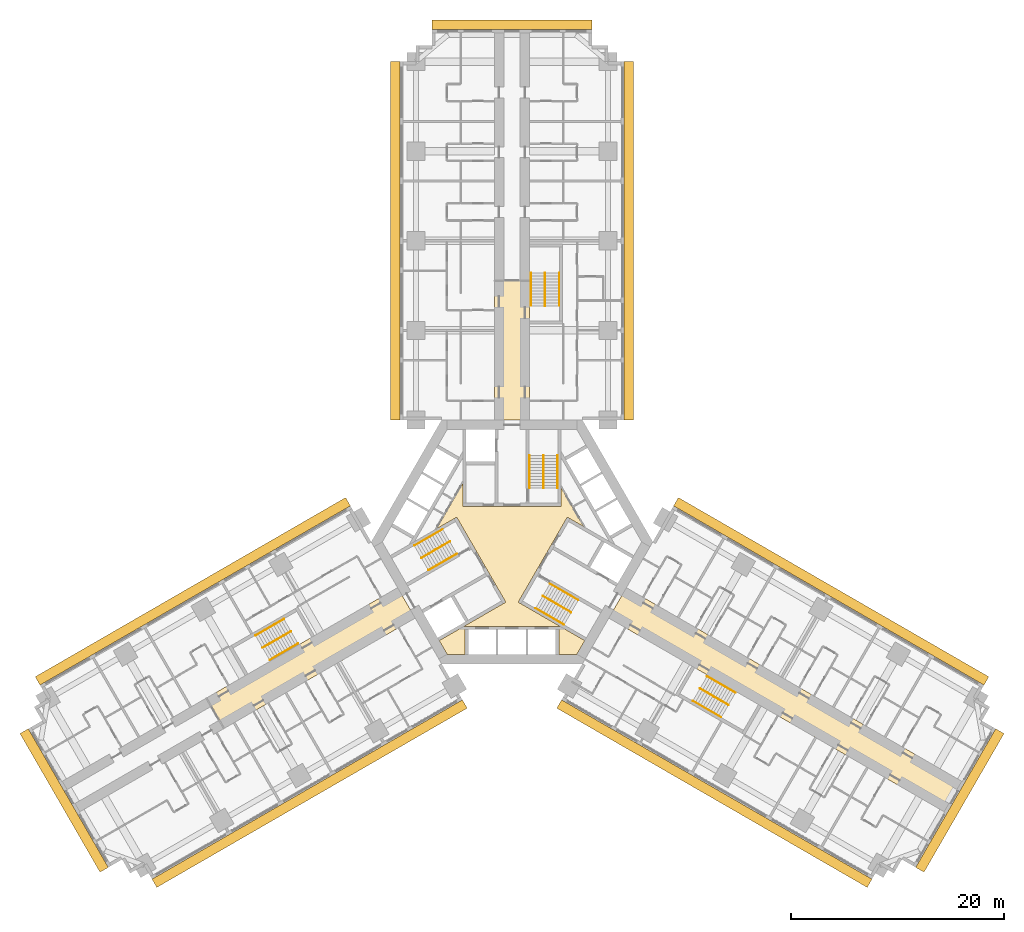
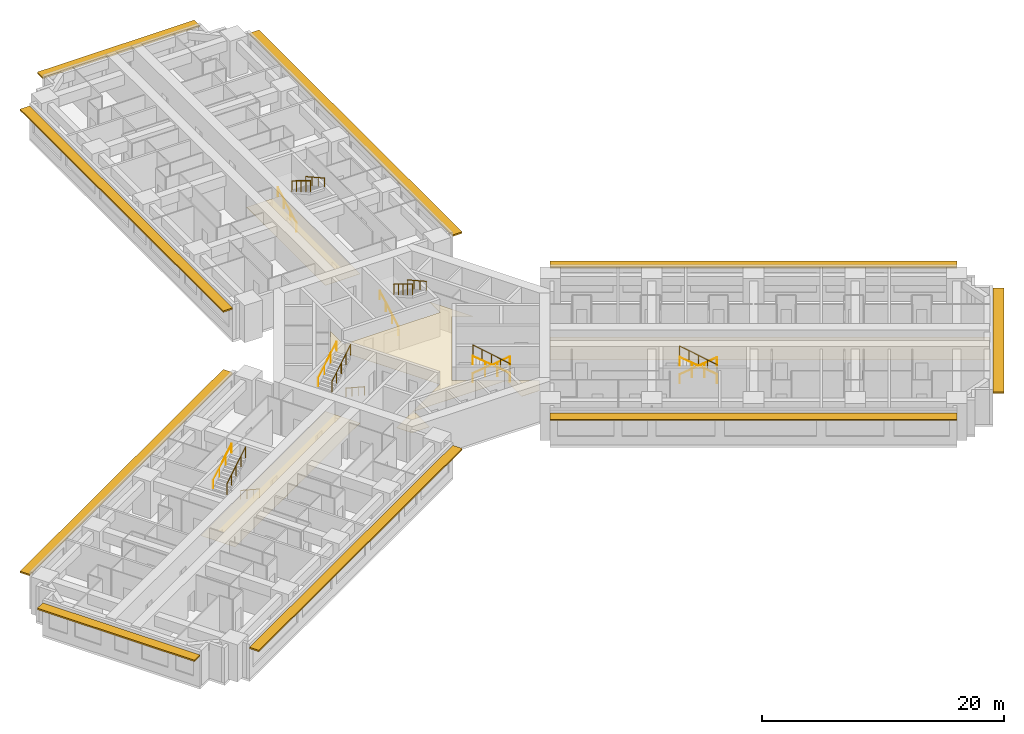
# One storey, part 16 of 16: 18 railings, 4 coverings, 3 shading devices.
"""IFC4 building model written with IfcOpenShell, lengths in metres."""

from ifc_helpers import new_model, si_unit, direction, frame, origin, origin_2d, place, context, subcontext, project, spatial, polyline, rectangle, circle, outline, extrude, material, layer, layer_set, type_object, element, save


model = new_model("IFC4")

# Units and contexts
model_context = context("Model", 3, precision=1e-05, world=origin(), true_north=direction((0.0, 1.0)))
body_context = subcontext(model_context, "Body", "Model", "MODEL_VIEW")
ifc_project = project(units=[si_unit("LENGTHUNIT", "METRE"), si_unit("AREAUNIT", "SQUARE_METRE"), si_unit("VOLUMEUNIT", "CUBIC_METRE"), si_unit("PLANEANGLEUNIT", "RADIAN"), si_unit("MASSUNIT", "GRAM", prefix="KILO")], contexts=[model_context])

# Site, building, storey
site_placement = place(None, origin())
site = spatial("IfcSite", under=ifc_project, at=site_placement, CompositionType="ELEMENT")
building_placement = place(site_placement, origin())
building = spatial("IfcBuilding", under=site, at=building_placement, Name="Impinga Residences", CompositionType="ELEMENT")
storey_placement = place(building_placement, frame((0.0, 0.0, 44.75)))
storey = spatial("IfcBuildingStorey", under=building, at=storey_placement, Name="L10", CompositionType="ELEMENT", Elevation=44.75)

# Coverings
ifc_material_1 = material(Name="Plasterboard 15 mm on steel hangers", Category="steel")
ifc_layer_1 = layer(ifc_material_1, 0.014892578125)
ifc_layer_set_1 = layer_set([ifc_layer_1], Name="Plasterboard 15 mm on steel hangers")
covering_type_1 = type_object("IfcCoveringType", Name="CL1 corridor ceiling, 15 mm plasterboard on hangers", PredefinedType="CEILING", material=ifc_layer_set_1)
covering_1_placement = place(storey_placement, frame((0.0, 0.0, 2.39990234375)))
element("IfcCovering", 1, at=covering_1_placement, inside=storey, type_object=covering_type_1, Name="Corridor ceiling CL1 L10-N00", PredefinedType="CEILING", context=body_context, shape_type="SweptSolid", body=[
    extrude(outline(polyline([(1.64990234375, 11.431640625), (-1.64990234375, 11.431640625), (-1.64990234375, 24.449951171875), (1.64990234375, 24.449951171875), (1.64990234375, 11.431640625)])), origin(), (0.0, 0.0, 1.0), 0.01513671875),
])
covering_2_placement = place(storey_placement, frame((0.0, 0.0, 2.39990234375)))
element("IfcCovering", 2, at=covering_2_placement, inside=storey, type_object=covering_type_1, Name="Corridor ceiling CL1 L10-W00", PredefinedType="CEILING", context=body_context, shape_type="SweptSolid", body=[
    extrude(outline(polyline([(-10.72509765625, -4.286865234375), (-9.074951171875, -7.144775390625), (-26.958740234375, -17.469970703125), (-28.60888671875, -14.612060546875), (-10.72509765625, -4.286865234375)])), origin(), (0.0, 0.0, 1.0), 0.01513671875),
])
covering_3_placement = place(storey_placement, frame((0.0, 0.0, 2.39990234375)))
element("IfcCovering", 3, at=covering_3_placement, inside=storey, type_object=covering_type_1, Name="Corridor ceiling CL1 L10-E00", PredefinedType="CEILING", context=body_context, shape_type="SweptSolid", body=[
    extrude(outline(polyline([(10.72509765625, -4.286865234375), (9.074951171875, -7.144775390625), (40.51171875, -25.294677734375), (42.16162109375, -22.436767578125), (10.72509765625, -4.286865234375)])), origin(), (0.0, 0.0, 1.0), 0.01513671875),
])
ifc_material_2 = material(Name="Mineral fibre tiles 20 mm on exposed grid", Category="mineral fibre")
ifc_layer_2 = layer(ifc_material_2, 0.02001953125)
ifc_layer_set_2 = layer_set([ifc_layer_2], Name="CL2 lift lobby ceiling, 20 mm mineral fibre tiles")
covering_type_2 = type_object("IfcCoveringType", Name="CL2 lift lobby ceiling, 20 mm mineral fibre tiles", PredefinedType="CEILING", material=ifc_layer_set_2)
covering_4_placement = place(storey_placement, frame((0.0, 0.0, 2.39990234375)))
element("IfcCovering", 4, at=covering_4_placement, inside=storey, type_object=covering_type_2, Name="Lift lobby ceiling CL2 L10-C01", PredefinedType="CEILING", context=body_context, shape_type="SweptSolid", body=[
    extrude(outline(polyline([(6.080322265625, -10.531494140625), (4.39990234375, -10.531494140625), (4.39990234375, -7.931640625), (-4.39990234375, -7.931640625), (-4.39990234375, -10.531494140625), (-6.080322265625, -10.531494140625), (-6.820556640625, -9.24951171875), (-0.583984375, -5.648681640625), (-5.183837890625, 2.318603515625), (-7.059326171875, 1.23583984375), (-4.60009765625, 5.49560546875), (-4.60009765625, 3.330078125), (4.60009765625, 3.330078125), (4.60009765625, 5.095703125), (6.712890625, 1.435791015625), (5.183837890625, 2.318603515625), (0.583984375, -5.648681640625), (6.820556640625, -9.24951171875), (6.080322265625, -10.531494140625)])), origin(), (0.0, 0.0, 1.0), 0.02001953125),
])

# Railings
ifc_material_3 = material(Name="Steel guard, powder coated", Category="steel")
railing_type_1 = type_object("IfcRailingType", Name="GR1 stair guard 1100", PredefinedType="GUARDRAIL", material=ifc_material_3)
railing_1_placement = place(storey_placement, frame((2.949951171875, 8.110107421875, 1.875)))
element("IfcRailing", 5, at=railing_1_placement, inside=storey, type_object=railing_type_1, Name="Stair guard GR1 ST1 L10", PredefinedType="GUARDRAIL", context=body_context, shape_type="SweptSolid", body=[
    extrude(circle(Radius=0.02392578125, at=origin_2d()), frame((0.0, 0.0, 1.076171875), z_axis=(0.0, -0.854177636135, 0.519981313056), x_axis=(1.0, 0.0, 0.0)), (0.0, 0.0, 1.0), 3.60595703125),
    extrude(circle(Radius=0.02099609375, at=origin_2d()), origin(), (0.0, 0.0, 1.0), 1.052001953125),
    extrude(circle(Radius=0.02099609375, at=origin_2d()), frame((0.0, -0.77001953125, 0.46875)), (0.0, 0.0, 1.0), 1.052001953125),
    extrude(circle(Radius=0.02099609375, at=origin_2d()), frame((0.0, -1.5400390625, 0.9375)), (0.0, 0.0, 1.0), 1.052001953125),
    extrude(circle(Radius=0.02099609375, at=origin_2d()), frame((0.0, -2.31005859375, 1.40625)), (0.0, 0.0, 1.0), 1.052001953125),
    extrude(circle(Radius=0.02099609375, at=origin_2d()), frame((0.0, -3.080078125, 1.875)), (0.0, 0.0, 1.0), 1.052001953125),
])
railing_2_placement = place(storey_placement, frame((-8.49853515625, -1.500244140625, 1.875)))
element("IfcRailing", 6, at=railing_2_placement, inside=storey, type_object=railing_type_1, Name="Stair guard GR1 ST2 L10", PredefinedType="GUARDRAIL", context=body_context, shape_type="SweptSolid", body=[
    extrude(circle(Radius=0.02392578125, at=origin_2d()), frame((0.0, 0.0, 1.076171875), z_axis=(0.739746383972, 0.427084037168, 0.519975492303), x_axis=(-0.499992328818, 0.866029832698, 0.0)), (0.0, 0.0, 1.0), 3.60595703125),
    extrude(circle(Radius=0.02099609375, at=origin_2d()), origin(), (0.0, 0.0, 1.0), 1.052001953125),
    extrude(circle(Radius=0.02099609375, at=origin_2d()), frame((0.6669921875, 0.385009765625, 0.46875)), (0.0, 0.0, 1.0), 1.052001953125),
    extrude(circle(Radius=0.02099609375, at=origin_2d()), frame((1.333740234375, 0.77001953125, 0.9375)), (0.0, 0.0, 1.0), 1.052001953125),
    extrude(circle(Radius=0.02099609375, at=origin_2d()), frame((2.00048828125, 1.155029296875, 1.40625)), (0.0, 0.0, 1.0), 1.052001953125),
    extrude(circle(Radius=0.02099609375, at=origin_2d()), frame((2.66748046875, 1.5400390625, 1.875)), (0.0, 0.0, 1.0), 1.052001953125),
])
railing_3_placement = place(storey_placement, frame((5.548583984375, -6.60986328125, 1.875)))
element("IfcRailing", 7, at=railing_3_placement, inside=storey, type_object=railing_type_1, Name="Stair guard GR1 ST3 L10", PredefinedType="GUARDRAIL", context=body_context, shape_type="SweptSolid", body=[
    extrude(circle(Radius=0.02392578125, at=origin_2d()), frame((0.0, 0.0, 1.076171875), z_axis=(-0.739746383972, 0.427084037168, 0.519975492303), x_axis=(-0.499992328818, -0.866029832698, 0.0)), (0.0, 0.0, 1.0), 3.60595703125),
    extrude(circle(Radius=0.02099609375, at=origin_2d()), origin(), (0.0, 0.0, 1.0), 1.052001953125),
    extrude(circle(Radius=0.02099609375, at=origin_2d()), frame((-0.6669921875, 0.385009765625, 0.46875)), (0.0, 0.0, 1.0), 1.052001953125),
    extrude(circle(Radius=0.02099609375, at=origin_2d()), frame((-1.333740234375, 0.77001953125, 0.9375)), (0.0, 0.0, 1.0), 1.052001953125),
    extrude(circle(Radius=0.02099609375, at=origin_2d()), frame((-2.00048828125, 1.155029296875, 1.40625)), (0.0, 0.0, 1.0), 1.052001953125),
    extrude(circle(Radius=0.02099609375, at=origin_2d()), frame((-2.66748046875, 1.5400390625, 1.875)), (0.0, 0.0, 1.0), 1.052001953125),
])
railing_4_placement = place(storey_placement, frame((3.10009765625, 25.21142578125, 1.875)))
element("IfcRailing", 8, at=railing_4_placement, inside=storey, type_object=railing_type_1, Name="Stair guard GR1 WS1 L10", PredefinedType="GUARDRAIL", context=body_context, shape_type="SweptSolid", body=[
    extrude(circle(Radius=0.02392578125, at=origin_2d()), frame((0.0, 0.0, 1.076171875), z_axis=(0.0, -0.854159328187, 0.520011386482), x_axis=(1.0, 0.0, 0.0)), (0.0, 0.0, 1.0), 3.605712890625),
    extrude(circle(Radius=0.02099609375, at=origin_2d()), origin(), (0.0, 0.0, 1.0), 1.052001953125),
    extrude(circle(Radius=0.02099609375, at=origin_2d()), frame((0.0, -0.77001953125, 0.46875)), (0.0, 0.0, 1.0), 1.052001953125),
    extrude(circle(Radius=0.02099609375, at=origin_2d()), frame((0.0, -1.5400390625, 0.9375)), (0.0, 0.0, 1.0), 1.052001953125),
    extrude(circle(Radius=0.02099609375, at=origin_2d()), frame((0.0, -2.309814453125, 1.40625)), (0.0, 0.0, 1.0), 1.052001953125),
    extrude(circle(Radius=0.02099609375, at=origin_2d()), frame((0.0, -3.079833984375, 1.875)), (0.0, 0.0, 1.0), 1.052001953125),
])
railing_5_placement = place(storey_placement, frame((-23.3837890625, -9.921142578125, 1.875)))
element("IfcRailing", 9, at=railing_5_placement, inside=storey, type_object=railing_type_1, Name="Stair guard GR1 WS2 L10", PredefinedType="GUARDRAIL", context=body_context, shape_type="SweptSolid", body=[
    extrude(circle(Radius=0.02392578125, at=origin_2d()), frame((0.0, 0.0, 1.076171875), z_axis=(0.739715726454, 0.427105428144, 0.52000153585), x_axis=(-0.500026652407, 0.866010015463, 0.0)), (0.0, 0.0, 1.0), 3.605712890625),
    extrude(circle(Radius=0.02099609375, at=origin_2d()), origin(), (0.0, 0.0, 1.0), 1.052001953125),
    extrude(circle(Radius=0.02099609375, at=origin_2d()), frame((0.666748046875, 0.385009765625, 0.46875)), (0.0, 0.0, 1.0), 1.052001953125),
    extrude(circle(Radius=0.02099609375, at=origin_2d()), frame((1.33349609375, 0.77001953125, 0.9375)), (0.0, 0.0, 1.0), 1.052001953125),
    extrude(circle(Radius=0.02099609375, at=origin_2d()), frame((2.00048828125, 1.155029296875, 1.40625)), (0.0, 0.0, 1.0), 1.052001953125),
    extrude(circle(Radius=0.02099609375, at=origin_2d()), frame((2.667236328125, 1.5400390625, 1.875)), (0.0, 0.0, 1.0), 1.052001953125),
])
railing_6_placement = place(storey_placement, frame((20.283935546875, -15.29052734375, 1.875)))
element("IfcRailing", 10, at=railing_6_placement, inside=storey, type_object=railing_type_1, Name="Stair guard GR1 WS3 L10", PredefinedType="GUARDRAIL", context=body_context, shape_type="SweptSolid", body=[
    extrude(circle(Radius=0.02392578125, at=origin_2d()), frame((0.0, 0.0, 1.076171875), z_axis=(-0.739746383972, 0.427084037168, 0.519975492303), x_axis=(-0.499992328818, -0.866029832698, 0.0)), (0.0, 0.0, 1.0), 3.60595703125),
    extrude(circle(Radius=0.02099609375, at=origin_2d()), origin(), (0.0, 0.0, 1.0), 1.052001953125),
    extrude(circle(Radius=0.02099609375, at=origin_2d()), frame((-0.6669921875, 0.385009765625, 0.46875)), (0.0, 0.0, 1.0), 1.052001953125),
    extrude(circle(Radius=0.02099609375, at=origin_2d()), frame((-1.333740234375, 0.77001953125, 0.9375)), (0.0, 0.0, 1.0), 1.052001953125),
    extrude(circle(Radius=0.02099609375, at=origin_2d()), frame((-2.00048828125, 1.155029296875, 1.40625)), (0.0, 0.0, 1.0), 1.052001953125),
    extrude(circle(Radius=0.02099609375, at=origin_2d()), frame((-2.66748046875, 1.5400390625, 1.875)), (0.0, 0.0, 1.0), 1.052001953125),
])
ifc_material_4 = material(Name="Steel handrail tube 42 mm, powder coated", Category="steel")
railing_type_2 = type_object("IfcRailingType", Name="HR1 stair handrail, 42 mm steel tube, 900 above the pitch line", PredefinedType="HANDRAIL", material=ifc_material_4)
railing_7_placement = place(storey_placement, frame((1.62109375, 5.030029296875, 0.15625)))
element("IfcRailing", 11, at=railing_7_placement, inside=storey, type_object=railing_type_2, Name="Stair handrail HR1 ST1 L10", PredefinedType="HANDRAIL", context=body_context, shape_type="SweptSolid", body=[
    extrude(circle(Radius=0.02099609375, at=origin_2d()), frame((0.0, 0.0, 0.87890625), z_axis=(0.0, 0.873241540666, 0.487287606713), x_axis=(-1.0, 0.0, 0.0)), (0.0, 0.0, 1.0), 3.527099609375),
    extrude(circle(Radius=0.012451171875, at=origin_2d()), origin(), (0.0, 0.0, 1.0), 0.85791015625),
    extrude(circle(Radius=0.012451171875, at=origin_2d()), frame((0.0, 1.026611328125, 0.572998046875)), (0.0, 0.0, 1.0), 0.85791015625),
    extrude(circle(Radius=0.012451171875, at=origin_2d()), frame((0.0, 2.053466796875, 1.145751953125)), (0.0, 0.0, 1.0), 0.85791015625),
    extrude(circle(Radius=0.012451171875, at=origin_2d()), frame((0.0, 3.080078125, 1.71875)), (0.0, 0.0, 1.0), 0.85791015625),
])
railing_8_placement = place(storey_placement, frame((4.279052734375, 8.110107421875, 2.03125)))
element("IfcRailing", 12, at=railing_8_placement, inside=storey, type_object=railing_type_2, Name="Stair handrail HR1 ST1 L10", PredefinedType="HANDRAIL", context=body_context, shape_type="SweptSolid", body=[
    extrude(circle(Radius=0.02099609375, at=origin_2d()), frame((0.0, 0.0, 0.87890625), z_axis=(0.0, -0.873241540666, 0.487287606713), x_axis=(1.0, 0.0, 0.0)), (0.0, 0.0, 1.0), 3.527099609375),
    extrude(circle(Radius=0.012451171875, at=origin_2d()), origin(), (0.0, 0.0, 1.0), 0.85791015625),
    extrude(circle(Radius=0.012451171875, at=origin_2d()), frame((0.0, -1.026611328125, 0.572998046875)), (0.0, 0.0, 1.0), 0.85791015625),
    extrude(circle(Radius=0.012451171875, at=origin_2d()), frame((0.0, -2.053466796875, 1.145751953125)), (0.0, 0.0, 1.0), 0.85791015625),
    extrude(circle(Radius=0.012451171875, at=origin_2d()), frame((0.0, -3.080078125, 1.71875)), (0.0, 0.0, 1.0), 0.85791015625),
])
railing_9_placement = place(storey_placement, frame((-5.16650390625, -1.111083984375, 0.15625)))
element("IfcRailing", 13, at=railing_9_placement, inside=storey, type_object=railing_type_2, Name="Stair handrail HR1 ST2 L10", PredefinedType="HANDRAIL", context=body_context, shape_type="SweptSolid", body=[
    extrude(circle(Radius=0.02099609375, at=origin_2d()), frame((0.0, 0.0, 0.87890625), z_axis=(-0.756255980417, -0.436615662133, 0.487281905742), x_axis=(0.499992328818, -0.866029832698, 0.0)), (0.0, 0.0, 1.0), 3.527099609375),
    extrude(circle(Radius=0.012451171875, at=origin_2d()), origin(), (0.0, 0.0, 1.0), 0.85791015625),
    extrude(circle(Radius=0.012451171875, at=origin_2d()), frame((-0.88916015625, -0.513427734375, 0.572998046875)), (0.0, 0.0, 1.0), 0.85791015625),
    extrude(circle(Radius=0.012451171875, at=origin_2d()), frame((-1.7783203125, -1.026611328125, 1.145751953125)), (0.0, 0.0, 1.0), 0.85791015625),
    extrude(circle(Radius=0.012451171875, at=origin_2d()), frame((-2.66748046875, -1.5400390625, 1.71875)), (0.0, 0.0, 1.0), 0.85791015625),
])
railing_10_placement = place(storey_placement, frame((-9.1630859375, -0.349365234375, 2.03125)))
element("IfcRailing", 14, at=railing_10_placement, inside=storey, type_object=railing_type_2, Name="Stair handrail HR1 ST2 L10", PredefinedType="HANDRAIL", context=body_context, shape_type="SweptSolid", body=[
    extrude(circle(Radius=0.02099609375, at=origin_2d()), frame((0.0, 0.0, 0.87890625), z_axis=(0.756255980417, 0.436615662133, 0.487281905742), x_axis=(-0.499992328818, 0.866029832698, 0.0)), (0.0, 0.0, 1.0), 3.527099609375),
    extrude(circle(Radius=0.012451171875, at=origin_2d()), origin(), (0.0, 0.0, 1.0), 0.85791015625),
    extrude(circle(Radius=0.012451171875, at=origin_2d()), frame((0.88916015625, 0.513427734375, 0.572998046875)), (0.0, 0.0, 1.0), 0.85791015625),
    extrude(circle(Radius=0.012451171875, at=origin_2d()), frame((1.7783203125, 1.026611328125, 1.145751953125)), (0.0, 0.0, 1.0), 0.85791015625),
    extrude(circle(Radius=0.012451171875, at=origin_2d()), frame((2.66748046875, 1.5400390625, 1.71875)), (0.0, 0.0, 1.0), 0.85791015625),
])
railing_11_placement = place(storey_placement, frame((3.545654296875, -3.9189453125, 0.15625)))
element("IfcRailing", 15, at=railing_11_placement, inside=storey, type_object=railing_type_2, Name="Stair handrail HR1 ST3 L10", PredefinedType="HANDRAIL", context=body_context, shape_type="SweptSolid", body=[
    extrude(circle(Radius=0.02099609375, at=origin_2d()), frame((0.0, 0.0, 0.87890625), z_axis=(0.756249203677, -0.436582492228, 0.487322141317), x_axis=(0.499967199496, 0.866044340336, 0.0)), (0.0, 0.0, 1.0), 3.52685546875),
    extrude(circle(Radius=0.012451171875, at=origin_2d()), origin(), (0.0, 0.0, 1.0), 0.85791015625),
    extrude(circle(Radius=0.012451171875, at=origin_2d()), frame((0.88916015625, -0.51318359375, 0.572998046875)), (0.0, 0.0, 1.0), 0.85791015625),
    extrude(circle(Radius=0.012451171875, at=origin_2d()), frame((1.778076171875, -1.026611328125, 1.145751953125)), (0.0, 0.0, 1.0), 0.85791015625),
    extrude(circle(Radius=0.012451171875, at=origin_2d()), frame((2.667236328125, -1.539794921875, 1.71875)), (0.0, 0.0, 1.0), 0.85791015625),
])
railing_12_placement = place(storey_placement, frame((4.884033203125, -7.7607421875, 2.03125)))
element("IfcRailing", 16, at=railing_12_placement, inside=storey, type_object=railing_type_2, Name="Stair handrail HR1 ST3 L10", PredefinedType="HANDRAIL", context=body_context, shape_type="SweptSolid", body=[
    extrude(circle(Radius=0.02099609375, at=origin_2d()), frame((0.0, 0.0, 0.87890625), z_axis=(-0.756255980417, 0.436615662133, 0.487281905742), x_axis=(-0.499992328818, -0.866029832698, 0.0)), (0.0, 0.0, 1.0), 3.527099609375),
    extrude(circle(Radius=0.012451171875, at=origin_2d()), origin(), (0.0, 0.0, 1.0), 0.85791015625),
    extrude(circle(Radius=0.012451171875, at=origin_2d()), frame((-0.88916015625, 0.513427734375, 0.572998046875)), (0.0, 0.0, 1.0), 0.85791015625),
    extrude(circle(Radius=0.012451171875, at=origin_2d()), frame((-1.7783203125, 1.026611328125, 1.145751953125)), (0.0, 0.0, 1.0), 0.85791015625),
    extrude(circle(Radius=0.012451171875, at=origin_2d()), frame((-2.66748046875, 1.5400390625, 1.71875)), (0.0, 0.0, 1.0), 0.85791015625),
])
railing_13_placement = place(storey_placement, frame((1.77099609375, 22.131591796875, 0.15625)))
element("IfcRailing", 17, at=railing_13_placement, inside=storey, type_object=railing_type_2, Name="Stair handrail HR1 WS1 L10", PredefinedType="HANDRAIL", context=body_context, shape_type="SweptSolid", body=[
    extrude(circle(Radius=0.02099609375, at=origin_2d()), frame((0.0, 0.0, 0.87890625), z_axis=(0.0, 0.873225103656, 0.487317061414), x_axis=(-1.0, 0.0, 0.0)), (0.0, 0.0, 1.0), 3.52685546875),
    extrude(circle(Radius=0.012451171875, at=origin_2d()), origin(), (0.0, 0.0, 1.0), 0.85791015625),
    extrude(circle(Radius=0.012451171875, at=origin_2d()), frame((0.0, 1.026611328125, 0.572998046875)), (0.0, 0.0, 1.0), 0.85791015625),
    extrude(circle(Radius=0.012451171875, at=origin_2d()), frame((0.0, 2.05322265625, 1.145751953125)), (0.0, 0.0, 1.0), 0.85791015625),
    extrude(circle(Radius=0.012451171875, at=origin_2d()), frame((0.0, 3.079833984375, 1.71875)), (0.0, 0.0, 1.0), 0.85791015625),
])
railing_14_placement = place(storey_placement, frame((4.428955078125, 25.21142578125, 2.03125)))
element("IfcRailing", 18, at=railing_14_placement, inside=storey, type_object=railing_type_2, Name="Stair handrail HR1 WS1 L10", PredefinedType="HANDRAIL", context=body_context, shape_type="SweptSolid", body=[
    extrude(circle(Radius=0.02099609375, at=origin_2d()), frame((0.0, 0.0, 0.87890625), z_axis=(0.0, -0.873225103656, 0.487317061414), x_axis=(1.0, 0.0, 0.0)), (0.0, 0.0, 1.0), 3.52685546875),
    extrude(circle(Radius=0.012451171875, at=origin_2d()), origin(), (0.0, 0.0, 1.0), 0.85791015625),
    extrude(circle(Radius=0.012451171875, at=origin_2d()), frame((0.0, -1.026611328125, 0.572998046875)), (0.0, 0.0, 1.0), 0.85791015625),
    extrude(circle(Radius=0.012451171875, at=origin_2d()), frame((0.0, -2.05322265625, 1.145751953125)), (0.0, 0.0, 1.0), 0.85791015625),
    extrude(circle(Radius=0.012451171875, at=origin_2d()), frame((0.0, -3.079833984375, 1.71875)), (0.0, 0.0, 1.0), 0.85791015625),
])
railing_15_placement = place(storey_placement, frame((-20.052001953125, -9.531982421875, 0.15625)))
element("IfcRailing", 19, at=railing_15_placement, inside=storey, type_object=railing_type_2, Name="Stair handrail HR1 WS2 L10", PredefinedType="HANDRAIL", context=body_context, shape_type="SweptSolid", body=[
    extrude(circle(Radius=0.02099609375, at=origin_2d()), frame((0.0, 0.0, 0.87890625), z_axis=(-0.756226348243, -0.436638517594, 0.487307413422), x_axis=(0.500026652407, -0.866010015463, 0.0)), (0.0, 0.0, 1.0), 3.527099609375),
    extrude(circle(Radius=0.012451171875, at=origin_2d()), origin(), (0.0, 0.0, 1.0), 0.85791015625),
    extrude(circle(Radius=0.012451171875, at=origin_2d()), frame((-0.88916015625, -0.513427734375, 0.572998046875)), (0.0, 0.0, 1.0), 0.85791015625),
    extrude(circle(Radius=0.012451171875, at=origin_2d()), frame((-1.778076171875, -1.026611328125, 1.145751953125)), (0.0, 0.0, 1.0), 0.85791015625),
    extrude(circle(Radius=0.012451171875, at=origin_2d()), frame((-2.667236328125, -1.5400390625, 1.71875)), (0.0, 0.0, 1.0), 0.85791015625),
])
railing_16_placement = place(storey_placement, frame((-24.04833984375, -8.77001953125, 2.03125)))
element("IfcRailing", 20, at=railing_16_placement, inside=storey, type_object=railing_type_2, Name="Stair handrail HR1 WS2 L10", PredefinedType="HANDRAIL", context=body_context, shape_type="SweptSolid", body=[
    extrude(circle(Radius=0.02099609375, at=origin_2d()), frame((0.0, 0.0, 0.87890625), z_axis=(0.756278834354, 0.436559638319, 0.487296631324), x_axis=(-0.499932877268, 0.866064153644, 0.0)), (0.0, 0.0, 1.0), 3.527099609375),
    extrude(circle(Radius=0.012451171875, at=origin_2d()), origin(), (0.0, 0.0, 1.0), 0.85791015625),
    extrude(circle(Radius=0.012451171875, at=origin_2d()), frame((0.88916015625, 0.51318359375, 0.572998046875)), (0.0, 0.0, 1.0), 0.85791015625),
    extrude(circle(Radius=0.012451171875, at=origin_2d()), frame((1.7783203125, 1.026611328125, 1.145751953125)), (0.0, 0.0, 1.0), 0.85791015625),
    extrude(circle(Radius=0.012451171875, at=origin_2d()), frame((2.66748046875, 1.539794921875, 1.71875)), (0.0, 0.0, 1.0), 0.85791015625),
])
railing_17_placement = place(storey_placement, frame((18.281005859375, -12.599609375, 0.15625)))
element("IfcRailing", 21, at=railing_17_placement, inside=storey, type_object=railing_type_2, Name="Stair handrail HR1 WS3 L10", PredefinedType="HANDRAIL", context=body_context, shape_type="SweptSolid", body=[
    extrude(circle(Radius=0.02099609375, at=origin_2d()), frame((0.0, 0.0, 0.87890625), z_axis=(0.756249203677, -0.436582492228, 0.487322141317), x_axis=(0.499967199496, 0.866044340336, 0.0)), (0.0, 0.0, 1.0), 3.52685546875),
    extrude(circle(Radius=0.012451171875, at=origin_2d()), origin(), (0.0, 0.0, 1.0), 0.85791015625),
    extrude(circle(Radius=0.012451171875, at=origin_2d()), frame((0.88916015625, -0.51318359375, 0.572998046875)), (0.0, 0.0, 1.0), 0.85791015625),
    extrude(circle(Radius=0.012451171875, at=origin_2d()), frame((1.778076171875, -1.026611328125, 1.145751953125)), (0.0, 0.0, 1.0), 0.85791015625),
    extrude(circle(Radius=0.012451171875, at=origin_2d()), frame((2.667236328125, -1.539794921875, 1.71875)), (0.0, 0.0, 1.0), 0.85791015625),
])
railing_18_placement = place(storey_placement, frame((19.619384765625, -16.44140625, 2.03125)))
element("IfcRailing", 22, at=railing_18_placement, inside=storey, type_object=railing_type_2, Name="Stair handrail HR1 WS3 L10", PredefinedType="HANDRAIL", context=body_context, shape_type="SweptSolid", body=[
    extrude(circle(Radius=0.02099609375, at=origin_2d()), frame((0.0, 0.0, 0.87890625), z_axis=(-0.756255980417, 0.436615662133, 0.487281905742), x_axis=(-0.499992328818, -0.866029832698, 0.0)), (0.0, 0.0, 1.0), 3.527099609375),
    extrude(circle(Radius=0.012451171875, at=origin_2d()), origin(), (0.0, 0.0, 1.0), 0.85791015625),
    extrude(circle(Radius=0.012451171875, at=origin_2d()), frame((-0.88916015625, 0.513427734375, 0.572998046875)), (0.0, 0.0, 1.0), 0.85791015625),
    extrude(circle(Radius=0.012451171875, at=origin_2d()), frame((-1.7783203125, 1.026611328125, 1.145751953125)), (0.0, 0.0, 1.0), 0.85791015625),
    extrude(circle(Radius=0.012451171875, at=origin_2d()), frame((-2.66748046875, 1.5400390625, 1.71875)), (0.0, 0.0, 1.0), 0.85791015625),
])

# Shading devices
ifc_material_5 = material(Name="Terracotta sunshade blades on aluminium brackets", Category="masonry")
ifc_layer_3 = layer(ifc_material_5, 0.14990234375)
ifc_layer_set_3 = layer_set([ifc_layer_3], Name="SS1 SUNSHADE terracotta sunshade band 900")
shading_device_type = type_object("IfcShadingDeviceType", Name="SS1 SUNSHADE terracotta sunshade band 900", PredefinedType="USERDEFINED", material=ifc_layer_set_3)
shading_device_1_placement = place(storey_placement, frame((-10.949951171875, 28.2314453125, 3.10009765625), z_axis=(0.0, 0.0, 1.0), x_axis=(0.0, 1.0, 0.0)))
element("IfcShadingDevice", 23, at=shading_device_1_placement, inside=storey, type_object=shading_device_type, Name="SUNSHADE band L10 NORTH WING", ObjectType="SUNSHADE", PredefinedType="USERDEFINED", context=body_context, shape_type="SweptSolid", body=[
    extrude(rectangle(XDim=33.60009765625, YDim=0.89990234375, at=origin_2d()), origin(), (0.0, 0.0, 1.0), 0.14990234375),
    extrude(rectangle(XDim=15.0, YDim=0.89990234375, at=origin_2d()), frame((20.25, -10.949951171875, 0.0), z_axis=(0.0, 0.0, 1.0), x_axis=(0.0, -1.0, 0.0)), (0.0, 0.0, 1.0), 0.14990234375),
    extrude(rectangle(XDim=33.60009765625, YDim=0.89990234375, at=origin_2d()), frame((0.0, -21.89990234375, 0.0), z_axis=(0.0, 0.0, 1.0), x_axis=(-1.0, 0.0, 0.0)), (0.0, 0.0, 1.0), 0.14990234375),
])
shading_device_2_placement = place(storey_placement, frame((-41.986328125, -24.24072265625, 3.10009765625), z_axis=(0.0, 0.0, 1.0), x_axis=(-0.5, 0.866025403784, 0.0)))
element("IfcShadingDevice", 24, at=shading_device_2_placement, inside=storey, type_object=shading_device_type, Name="SUNSHADE band L10 WEST WING", ObjectType="SUNSHADE", PredefinedType="USERDEFINED", context=body_context, shape_type="SweptSolid", body=[
    extrude(rectangle(XDim=15.0, YDim=0.89990234375, at=origin_2d()), origin(), (0.0, 0.0, 1.0), 0.14990234375),
    extrude(rectangle(XDim=33.60009765625, YDim=0.89990234375, at=origin_2d()), frame((10.949951171875, -20.25, 0.0), z_axis=(0.0, 0.0, 1.0), x_axis=(0.0, -1.0, 0.0)), (0.0, 0.0, 1.0), 0.14990234375),
    extrude(rectangle(XDim=33.60009765625, YDim=0.89990234375, at=origin_2d()), frame((-10.949951171875, -20.250244140625, 0.0), z_axis=(0.0, 0.0, 1.0), x_axis=(0.0, 1.0, 0.0)), (0.0, 0.0, 1.0), 0.14990234375),
])
shading_device_3_placement = place(storey_placement, frame((29.92431640625, -4.6328125, 3.10009765625), z_axis=(0.0, 0.0, 1.0), x_axis=(0.866025403784, -0.5, 0.0)))
element("IfcShadingDevice", 25, at=shading_device_3_placement, inside=storey, type_object=shading_device_type, Name="SUNSHADE band L10 EAST WING", ObjectType="SUNSHADE", PredefinedType="USERDEFINED", context=body_context, shape_type="SweptSolid", body=[
    extrude(rectangle(XDim=33.60009765625, YDim=0.89990234375, at=origin_2d()), origin(), (0.0, 0.0, 1.0), 0.14990234375),
    extrude(rectangle(XDim=15.0, YDim=0.89990234375, at=origin_2d()), frame((20.25, -10.949951171875, 0.0), z_axis=(0.0, 0.0, 1.0), x_axis=(0.0, -1.0, 0.0)), (0.0, 0.0, 1.0), 0.14990234375),
    extrude(rectangle(XDim=33.60009765625, YDim=0.89990234375, at=origin_2d()), frame((-0.000244140625, -21.89990234375, 0.0), z_axis=(0.0, 0.0, 1.0), x_axis=(-1.0, 0.0, 0.0)), (0.0, 0.0, 1.0), 0.14990234375),
])

save(model, "model.ifc")
